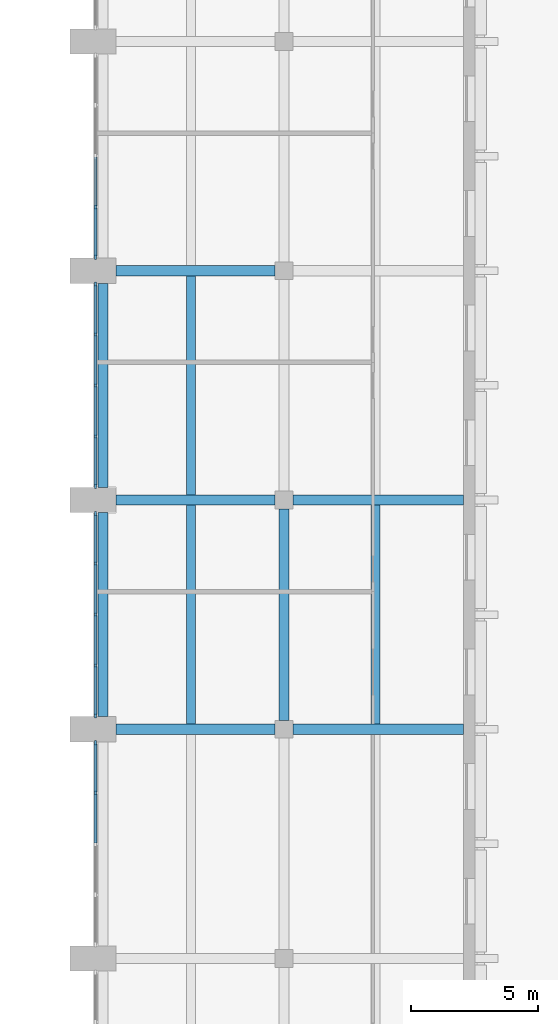
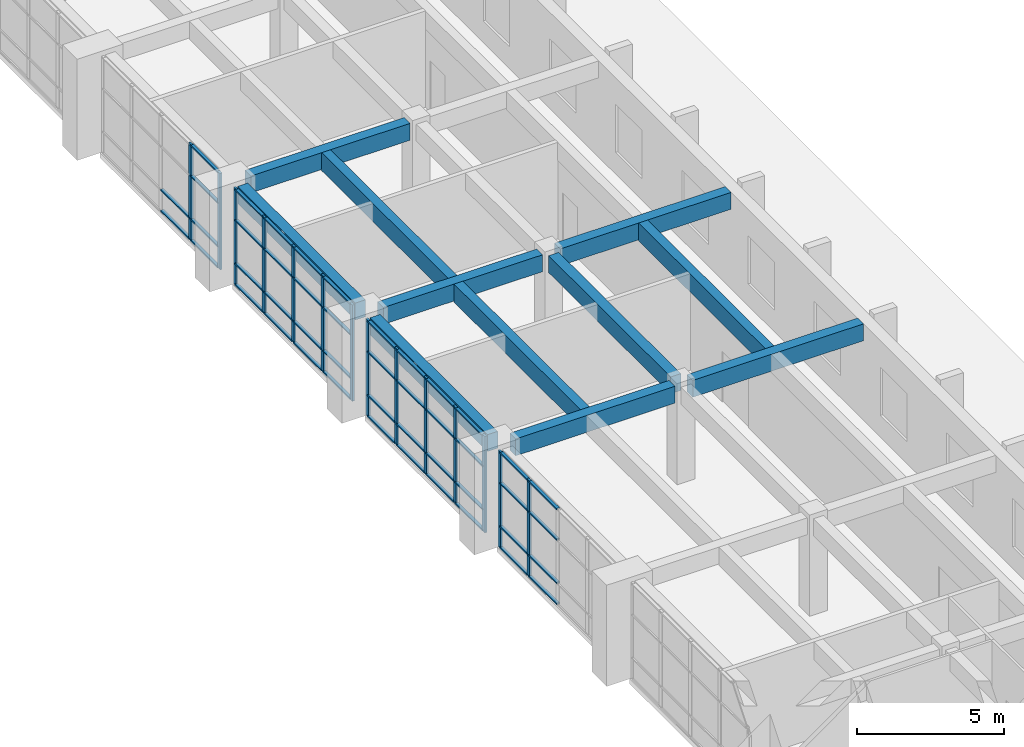
# One storey, part 9 of 45: 60 members, 11 beams, 4 elements without a shape of their own.
"""IFC4 building model written with IfcOpenShell, lengths in metres."""

import ifcopenshell
import ifcopenshell.guid

model = None  # the IFC model being written
_history = None  # IfcOwnerHistory: only IFC2X3 demands one
_inside = {}  # id of a spatial element -> (the spatial element, [elements in it])
_under = {}  # id of a project, library or spatial element -> (it, [spatial elements below it])
_declared = {}  # id of a project -> (the project, [libraries it declares])
_typed = {}  # id of a type object -> (the type object, [elements of that type])
_made_of = {}  # id of a material, layer set ... -> (it, [elements and type objects made of it])


def new_model(schema):
    """Start an empty IFC model of exactly this schema.

    Asked for "IFC4X3", IfcOpenShell would pick the latest addendum, in which some entities
    have other attributes; the version numbers below select the first issue.
    IFC2X3 requires an IfcOwnerHistory on every rooted entity: one is made here for all.
    """
    global model, _history
    if schema == "IFC4X3":
        model = ifcopenshell.file(schema_version=(4, 3, 0, 0))
    else:
        model = ifcopenshell.file(schema=schema)
    _inside.clear()
    _under.clear()
    _declared.clear()
    _typed.clear()
    _made_of.clear()
    _history = None
    if model.schema == "IFC2X3":
        org = make("IfcOrganization", Name="unknown")
        user = make(
            "IfcPersonAndOrganization",
            ThePerson=make("IfcPerson", FamilyName="unknown"),
            TheOrganization=org,
        )
        app = make(
            "IfcApplication",
            ApplicationDeveloper=org,
            Version="unknown",
            ApplicationFullName="unknown",
            ApplicationIdentifier="unknown",
        )
        _history = make(
            "IfcOwnerHistory",
            OwningUser=user,
            OwningApplication=app,
            ChangeAction="ADDED",
            CreationDate=0,
        )
    return model


def make(cls, **values):
    """One entity of the class cls with the attributes given. An attribute that is None is left unset."""
    return model.create_entity(
        cls, **{name: value for name, value in values.items() if value is not None}
    )


def rooted(cls, **values):
    """An entity with a GlobalId (a new one), such as an element, a storey or a relation."""
    return make(cls, GlobalId=ifcopenshell.guid.new(), OwnerHistory=_history, **values)


def si_unit(unit_type, name, prefix=None):
    """IfcSIUnit, for example si_unit("LENGTHUNIT", "METRE", prefix="MILLI")."""
    return make("IfcSIUnit", UnitType=unit_type, Prefix=prefix, Name=name)


def assignment(units):
    """IfcUnitAssignment: the units of a project."""
    return None if units is None else make("IfcUnitAssignment", Units=units)


def point(xyz):
    """IfcCartesianPoint."""
    return None if xyz is None else make("IfcCartesianPoint", Coordinates=xyz)


def direction(xyz):
    """IfcDirection."""
    return None if xyz is None else make("IfcDirection", DirectionRatios=xyz)


def frame(location, z_axis=None, x_axis=None):
    """IfcAxis2Placement3D, a coordinate frame: its origin and axes. An axis left out is left unset."""
    return make(
        "IfcAxis2Placement3D",
        Location=point(location),
        Axis=direction(z_axis),
        RefDirection=direction(x_axis),
    )


def frame_2d(location, x_axis=None):
    """IfcAxis2Placement2D, a coordinate frame in the plane: its origin and x axis."""
    return make(
        "IfcAxis2Placement2D", Location=point(location), RefDirection=direction(x_axis)
    )


def origin():
    """The frame at (0, 0, 0) with its axes left unset."""
    return frame((0.0, 0.0, 0.0))


def origin_2d():
    """The frame at (0, 0) in the plane with its x axis left unset."""
    return frame_2d((0.0, 0.0))


def place(relative_to, where):
    """IfcLocalPlacement: puts the frame where relative to a parent placement (None: the world)."""
    return make(
        "IfcLocalPlacement", PlacementRelTo=relative_to, RelativePlacement=where
    )


def context(
    kind, dimensions, precision=None, world=None, true_north=None, identifier=None
):
    """IfcGeometricRepresentationContext, for example the 3D "Model" context."""
    return make(
        "IfcGeometricRepresentationContext",
        ContextIdentifier=identifier,
        ContextType=kind,
        CoordinateSpaceDimension=dimensions,
        Precision=precision,
        WorldCoordinateSystem=world,
        TrueNorth=true_north,
    )


def subcontext(parent, identifier, kind, view, scale=None):
    """IfcGeometricRepresentationSubContext, for example "Body" below "Model"."""
    return make(
        "IfcGeometricRepresentationSubContext",
        ContextIdentifier=identifier,
        ContextType=kind,
        ParentContext=parent,
        TargetScale=scale,
        TargetView=view,
    )


def project(units=None, contexts=None):
    """IfcProject with its units and contexts."""
    return rooted(
        "IfcProject",
        Name="project",
        RepresentationContexts=contexts,
        UnitsInContext=assignment(units),
    )


def spatial(cls, under=None, at=None, **own):
    """A site, building, storey or space (cls), placed at a placement, below another one or the project."""
    s = rooted(cls, ObjectPlacement=at, **own)
    if under is not None:
        _under.setdefault(under.id(), (under, []))[1].append(s)
    return s


def profile(cls, at=None, kind="AREA", **sizes):
    """A parametric profile (cls). Its sizes go by their IFC names, for example OverallWidth=200.0."""
    return make(cls, ProfileType=kind, Position=at, **sizes)


def rectangle(**sizes):
    """IfcRectangleProfileDef."""
    return profile("IfcRectangleProfileDef", **sizes)


def extrude(swept, where, along, depth):
    """IfcExtrudedAreaSolid: the profile swept, set in the frame where, extruded along a direction by depth."""
    return make(
        "IfcExtrudedAreaSolid",
        SweptArea=swept,
        Position=where,
        ExtrudedDirection=direction(along),
        Depth=depth,
    )


def shape(context_of_items, identifier, shape_type, items):
    """IfcShapeRepresentation: the items that make up one representation, for example the "Body"."""
    return make(
        "IfcShapeRepresentation",
        ContextOfItems=context_of_items,
        RepresentationIdentifier=identifier,
        RepresentationType=shape_type,
        Items=items,
    )


def material(Name=None, Category=None):
    """IfcMaterial."""
    return make("IfcMaterial", Name=Name, Category=Category)


def material_profile(
    of_material, cross_section, Name=None, Category=None, Priority=None
):
    """IfcMaterialProfile: a cross section and its material."""
    return make(
        "IfcMaterialProfile",
        Name=Name,
        Material=of_material,
        Profile=cross_section,
        Priority=Priority,
        Category=Category,
    )


def profile_set(profiles, Name=None, composite=None):
    """IfcMaterialProfileSet."""
    return make(
        "IfcMaterialProfileSet",
        Name=Name,
        MaterialProfiles=profiles,
        CompositeProfile=composite,
    )


def made_of(thing, what):
    """Note that an element or type object is made of a material, layer set ...; save() writes the relation."""
    if what is not None:
        _made_of.setdefault(what.id(), (what, []))[1].append(thing)
    return thing


def type_object(cls, material=None, **own):
    """A type object (cls), such as IfcWallType, which elements share."""
    return made_of(rooted(cls, **own), material)


def element(
    cls,
    number,
    at=None,
    inside=None,
    cuts=None,
    type_object=None,
    material=None,
    context=None,
    identifier="Body",
    shape_type=None,
    held_by="IfcProductDefinitionShape",
    body=None,
    shapes=None,
    **own,
):
    """One element of the class cls, such as IfcWall. Its Tag is "e" and its number.

    at: its placement. inside: the storey or other place that contains it. cuts: it is an
    opening in that element (IfcRelVoidsElement). A single representation is given by context,
    identifier, shape_type and body (its items); several are given by shapes. held_by: the class
    of the entity that holds the representations. save() writes the other relations.
    """
    e = rooted(cls, Tag="e%d" % number, ObjectPlacement=at, **own)
    if body is not None:
        shapes = [shape(context, identifier, shape_type, body)]
    if shapes is not None:
        e.Representation = make(held_by, Representations=shapes)
    if inside is not None:
        _inside.setdefault(inside.id(), (inside, []))[1].append(e)
    if cuts is not None:
        rooted(
            "IfcRelVoidsElement", RelatingBuildingElement=cuts, RelatedOpeningElement=e
        )
    if type_object is not None:
        _typed.setdefault(type_object.id(), (type_object, []))[1].append(e)
    return made_of(e, material)


def aggregate(whole, parts):
    """IfcRelAggregates: a whole, such as a stair, and the parts it consists of."""
    return rooted("IfcRelAggregates", RelatingObject=whole, RelatedObjects=parts)


def save(model, path):
    """Write the relations noted so far, then the file.

    IfcRelAggregates (storeys below a building ...), IfcRelContainedInSpatialStructure (elements
    in a storey), IfcRelDefinesByType, IfcRelAssociatesMaterial and IfcRelDeclares: one each for
    every whole, place, type object, material and project.
    """
    for whole, parts in _under.values():
        aggregate(whole, parts)
    for where, things in _inside.values():
        rooted(
            "IfcRelContainedInSpatialStructure",
            RelatedElements=things,
            RelatingStructure=where,
        )
    for kind, things in _typed.values():
        rooted("IfcRelDefinesByType", RelatedObjects=things, RelatingType=kind)
    for what, things in _made_of.values():
        rooted("IfcRelAssociatesMaterial", RelatedObjects=things, RelatingMaterial=what)
    for by, libraries in _declared.values():
        rooted("IfcRelDeclares", RelatingContext=by, RelatedDefinitions=libraries)
    model.write(path)


model = new_model("IFC4")

# Units and contexts
model_context = context("Model", 3, precision=1e-05, world=origin(), true_north=direction((0.0, 1.0)))
body_context = subcontext(model_context, "Body", "Model", "MODEL_VIEW")
ifc_project = project(units=[si_unit("LENGTHUNIT", "METRE"), si_unit("AREAUNIT", "SQUARE_METRE"), si_unit("VOLUMEUNIT", "CUBIC_METRE"), si_unit("PLANEANGLEUNIT", "RADIAN"), si_unit("MASSUNIT", "GRAM", prefix="KILO")], contexts=[model_context])

# Site, building, storey
site_placement = place(None, origin())
site = spatial("IfcSite", under=ifc_project, at=site_placement, CompositionType="ELEMENT")
building_placement = place(site_placement, origin())
building = spatial("IfcBuilding", under=site, at=building_placement, Name="Elmora Arch Market Hall", CompositionType="ELEMENT")
storey_placement = place(building_placement, frame((0.0, 0.0, 6.0)))
storey = spatial("IfcBuildingStorey", under=building, at=storey_placement, Name="L01", CompositionType="ELEMENT", Elevation=6.0)

# Curtain wall, members
ifc_material_1 = material(Name="Aluminium", Category="aluminium")
curtain_wall_type = type_object("IfcCurtainWallType", Name="Hall front curtain wall", PredefinedType="NOTDEFINED", material=ifc_material_1)
curtain_wall_1_placement = place(storey_placement, origin())
curtain_wall_1 = element("IfcCurtainWall", 1, at=curtain_wall_1_placement, inside=storey, type_object=curtain_wall_type, Name="Wing front E L01 3", PredefinedType="NOTDEFINED")
ifc_material_2 = material(Name="Aluminium", Category="aluminium")
ifc_material_profile_1 = material_profile(ifc_material_2, rectangle(XDim=0.080078125, YDim=0.179931640625, at=origin_2d()), Name="AL 80x180")
ifc_profile_set_1 = profile_set([ifc_material_profile_1], Name="Aluminium")
member_type_1 = type_object("IfcMemberType", Name="Mullion 80x180", PredefinedType="MULLION", material=ifc_profile_set_1)
member_1_placement = place(storey_placement, frame((43.10009765625, 51.5, 0.0), z_axis=(0.0, 0.0, 1.0), x_axis=(-1.0, 0.0, 0.0)))
member_1 = element("IfcMember", 2, at=member_1_placement, type_object=member_type_1, Name="CW2 mullion 4", PredefinedType="MULLION", context=body_context, shape_type="SweptSolid", body=[
    extrude(rectangle(XDim=0.080078125, YDim=0.179931640625, at=origin_2d()), origin(), (0.0, 0.0, 1.0), 4.0),
])
member_2_placement = place(storey_placement, frame((43.10009765625, 53.4599609375, 0.0), z_axis=(0.0, 0.0, 1.0), x_axis=(-1.0, 0.0, 0.0)))
member_2 = element("IfcMember", 3, at=member_2_placement, type_object=member_type_1, Name="CW2 mullion 5", PredefinedType="MULLION", context=body_context, shape_type="SweptSolid", body=[
    extrude(rectangle(XDim=0.080078125, YDim=0.179931640625, at=origin_2d()), origin(), (0.0, 0.0, 1.0), 4.0),
])

curtain_wall_2_placement = place(storey_placement, origin())
curtain_wall_2 = element("IfcCurtainWall", 4, at=curtain_wall_2_placement, inside=storey, type_object=curtain_wall_type, Name="Wing front E L01 4", PredefinedType="NOTDEFINED")
member_3_placement = place(storey_placement, frame((43.10009765625, 54.5400390625, 0.0), z_axis=(0.0, 0.0, 1.0), x_axis=(-1.0, 0.0, 0.0)))
member_3 = element("IfcMember", 5, at=member_3_placement, type_object=member_type_1, Name="CW2 mullion 1", PredefinedType="MULLION", context=body_context, shape_type="SweptSolid", body=[
    extrude(rectangle(XDim=0.080078125, YDim=0.179931640625, at=origin_2d()), origin(), (0.0, 0.0, 1.0), 4.0),
])
member_4_placement = place(storey_placement, frame((43.10009765625, 56.5, 0.0), z_axis=(0.0, 0.0, 1.0), x_axis=(-1.0, 0.0, 0.0)))
member_4 = element("IfcMember", 6, at=member_4_placement, type_object=member_type_1, Name="CW2 mullion 2", PredefinedType="MULLION", context=body_context, shape_type="SweptSolid", body=[
    extrude(rectangle(XDim=0.080078125, YDim=0.179931640625, at=origin_2d()), origin(), (0.0, 0.0, 1.0), 4.0),
])
member_5_placement = place(storey_placement, frame((43.10009765625, 58.5, 0.0), z_axis=(0.0, 0.0, 1.0), x_axis=(-1.0, 0.0, 0.0)))
member_5 = element("IfcMember", 7, at=member_5_placement, type_object=member_type_1, Name="CW2 mullion 3", PredefinedType="MULLION", context=body_context, shape_type="SweptSolid", body=[
    extrude(rectangle(XDim=0.080078125, YDim=0.179931640625, at=origin_2d()), origin(), (0.0, 0.0, 1.0), 4.0),
])
member_6_placement = place(storey_placement, frame((43.10009765625, 60.5, 0.0), z_axis=(0.0, 0.0, 1.0), x_axis=(-1.0, 0.0, 0.0)))
member_6 = element("IfcMember", 8, at=member_6_placement, type_object=member_type_1, Name="CW2 mullion 4", PredefinedType="MULLION", context=body_context, shape_type="SweptSolid", body=[
    extrude(rectangle(XDim=0.080078125, YDim=0.179931640625, at=origin_2d()), origin(), (0.0, 0.0, 1.0), 4.0),
])
member_7_placement = place(storey_placement, frame((43.10009765625, 62.4599609375, 0.0), z_axis=(0.0, 0.0, 1.0), x_axis=(-1.0, 0.0, 0.0)))
member_7 = element("IfcMember", 9, at=member_7_placement, type_object=member_type_1, Name="CW2 mullion 5", PredefinedType="MULLION", context=body_context, shape_type="SweptSolid", body=[
    extrude(rectangle(XDim=0.080078125, YDim=0.179931640625, at=origin_2d()), origin(), (0.0, 0.0, 1.0), 4.0),
])

curtain_wall_3_placement = place(storey_placement, origin())
curtain_wall_3 = element("IfcCurtainWall", 10, at=curtain_wall_3_placement, inside=storey, type_object=curtain_wall_type, Name="Wing front E L01 5", PredefinedType="NOTDEFINED")
member_8_placement = place(storey_placement, frame((43.10009765625, 63.5400390625, 0.0), z_axis=(0.0, 0.0, 1.0), x_axis=(-1.0, 0.0, 0.0)))
member_8 = element("IfcMember", 11, at=member_8_placement, type_object=member_type_1, Name="CW2 mullion 1", PredefinedType="MULLION", context=body_context, shape_type="SweptSolid", body=[
    extrude(rectangle(XDim=0.080078125, YDim=0.179931640625, at=origin_2d()), origin(), (0.0, 0.0, 1.0), 4.0),
])
member_9_placement = place(storey_placement, frame((43.10009765625, 65.5, 0.0), z_axis=(0.0, 0.0, 1.0), x_axis=(-1.0, 0.0, 0.0)))
member_9 = element("IfcMember", 12, at=member_9_placement, type_object=member_type_1, Name="CW2 mullion 2", PredefinedType="MULLION", context=body_context, shape_type="SweptSolid", body=[
    extrude(rectangle(XDim=0.080078125, YDim=0.179931640625, at=origin_2d()), origin(), (0.0, 0.0, 1.0), 4.0),
])
member_10_placement = place(storey_placement, frame((43.10009765625, 67.5, 0.0), z_axis=(0.0, 0.0, 1.0), x_axis=(-1.0, 0.0, 0.0)))
member_10 = element("IfcMember", 13, at=member_10_placement, type_object=member_type_1, Name="CW2 mullion 3", PredefinedType="MULLION", context=body_context, shape_type="SweptSolid", body=[
    extrude(rectangle(XDim=0.080078125, YDim=0.179931640625, at=origin_2d()), origin(), (0.0, 0.0, 1.0), 4.0),
])
member_11_placement = place(storey_placement, frame((43.10009765625, 69.5, 0.0), z_axis=(0.0, 0.0, 1.0), x_axis=(-1.0, 0.0, 0.0)))
member_11 = element("IfcMember", 14, at=member_11_placement, type_object=member_type_1, Name="CW2 mullion 4", PredefinedType="MULLION", context=body_context, shape_type="SweptSolid", body=[
    extrude(rectangle(XDim=0.080078125, YDim=0.179931640625, at=origin_2d()), origin(), (0.0, 0.0, 1.0), 4.0),
])
member_12_placement = place(storey_placement, frame((43.10009765625, 71.4599609375, 0.0), z_axis=(0.0, 0.0, 1.0), x_axis=(-1.0, 0.0, 0.0)))
member_12 = element("IfcMember", 15, at=member_12_placement, type_object=member_type_1, Name="CW2 mullion 5", PredefinedType="MULLION", context=body_context, shape_type="SweptSolid", body=[
    extrude(rectangle(XDim=0.080078125, YDim=0.179931640625, at=origin_2d()), origin(), (0.0, 0.0, 1.0), 4.0),
])

curtain_wall_4_placement = place(storey_placement, origin())
curtain_wall_4 = element("IfcCurtainWall", 16, at=curtain_wall_4_placement, inside=storey, type_object=curtain_wall_type, Name="Wing front E L01 6", PredefinedType="NOTDEFINED")
member_13_placement = place(storey_placement, frame((43.10009765625, 72.5400390625, 0.0), z_axis=(0.0, 0.0, 1.0), x_axis=(-1.0, 0.0, 0.0)))
member_13 = element("IfcMember", 17, at=member_13_placement, type_object=member_type_1, Name="CW2 mullion 1", PredefinedType="MULLION", context=body_context, shape_type="SweptSolid", body=[
    extrude(rectangle(XDim=0.080078125, YDim=0.179931640625, at=origin_2d()), origin(), (0.0, 0.0, 1.0), 4.0),
])
member_14_placement = place(storey_placement, frame((43.10009765625, 74.5, 0.0), z_axis=(0.0, 0.0, 1.0), x_axis=(-1.0, 0.0, 0.0)))
member_14 = element("IfcMember", 18, at=member_14_placement, type_object=member_type_1, Name="CW2 mullion 2", PredefinedType="MULLION", context=body_context, shape_type="SweptSolid", body=[
    extrude(rectangle(XDim=0.080078125, YDim=0.179931640625, at=origin_2d()), origin(), (0.0, 0.0, 1.0), 4.0),
])

# Member
ifc_material_3 = material(Name="Aluminium", Category="aluminium")
ifc_material_profile_2 = material_profile(ifc_material_3, rectangle(XDim=0.1201171875, YDim=0.06005859375, at=origin_2d()), Name="AL 120x60")
ifc_profile_set_2 = profile_set([ifc_material_profile_2], Name="Aluminium")
member_type_2 = type_object("IfcMemberType", Name="Transom 120x60", PredefinedType="USERDEFINED", material=ifc_profile_set_2)
member_15_placement = place(storey_placement, frame((43.10009765625, 49.5400390625, 0.030029296875), z_axis=(0.0, 1.0, 0.0), x_axis=(-1.0, 0.0, 0.0)))
member_15 = element("IfcMember", 19, at=member_15_placement, type_object=member_type_2, Name="CW2 transom 3.1", ObjectType="TRANSOM", PredefinedType="USERDEFINED", context=body_context, shape_type="SweptSolid", body=[
    extrude(rectangle(XDim=0.1201171875, YDim=0.06005859375, at=origin_2d()), origin(), (0.0, 0.0, 1.0), 1.919921875),
])

member_16_placement = place(storey_placement, frame((43.10009765625, 49.5400390625, 0.89990234375), z_axis=(0.0, 1.0, 0.0), x_axis=(-1.0, 0.0, 0.0)))
member_16 = element("IfcMember", 20, at=member_16_placement, type_object=member_type_2, Name="CW2 transom 3.2", ObjectType="TRANSOM", PredefinedType="USERDEFINED", context=body_context, shape_type="SweptSolid", body=[
    extrude(rectangle(XDim=0.1201171875, YDim=0.06005859375, at=origin_2d()), origin(), (0.0, 0.0, 1.0), 1.919921875),
])

member_17_placement = place(storey_placement, frame((43.10009765625, 49.5400390625, 2.699951171875), z_axis=(0.0, 1.0, 0.0), x_axis=(-1.0, 0.0, 0.0)))
member_17 = element("IfcMember", 21, at=member_17_placement, type_object=member_type_2, Name="CW2 transom 3.3", ObjectType="TRANSOM", PredefinedType="USERDEFINED", context=body_context, shape_type="SweptSolid", body=[
    extrude(rectangle(XDim=0.1201171875, YDim=0.06005859375, at=origin_2d()), origin(), (0.0, 0.0, 1.0), 1.919921875),
])

member_18_placement = place(storey_placement, frame((43.10009765625, 49.5400390625, 3.969970703125), z_axis=(0.0, 1.0, 0.0), x_axis=(-1.0, 0.0, 0.0)))
member_18 = element("IfcMember", 22, at=member_18_placement, type_object=member_type_2, Name="CW2 transom 3.4", ObjectType="TRANSOM", PredefinedType="USERDEFINED", context=body_context, shape_type="SweptSolid", body=[
    extrude(rectangle(XDim=0.1201171875, YDim=0.06005859375, at=origin_2d()), origin(), (0.0, 0.0, 1.0), 1.919921875),
])

member_19_placement = place(storey_placement, frame((43.10009765625, 51.5400390625, 0.030029296875), z_axis=(0.0, 1.0, 0.0), x_axis=(-1.0, 0.0, 0.0)))
member_19 = element("IfcMember", 23, at=member_19_placement, type_object=member_type_2, Name="CW2 transom 4.1", ObjectType="TRANSOM", PredefinedType="USERDEFINED", context=body_context, shape_type="SweptSolid", body=[
    extrude(rectangle(XDim=0.1201171875, YDim=0.06005859375, at=origin_2d()), origin(), (0.0, 0.0, 1.0), 1.8798828125),
])

member_20_placement = place(storey_placement, frame((43.10009765625, 51.5400390625, 0.89990234375), z_axis=(0.0, 1.0, 0.0), x_axis=(-1.0, 0.0, 0.0)))
member_20 = element("IfcMember", 24, at=member_20_placement, type_object=member_type_2, Name="CW2 transom 4.2", ObjectType="TRANSOM", PredefinedType="USERDEFINED", context=body_context, shape_type="SweptSolid", body=[
    extrude(rectangle(XDim=0.1201171875, YDim=0.06005859375, at=origin_2d()), origin(), (0.0, 0.0, 1.0), 1.8798828125),
])

member_21_placement = place(storey_placement, frame((43.10009765625, 51.5400390625, 2.699951171875), z_axis=(0.0, 1.0, 0.0), x_axis=(-1.0, 0.0, 0.0)))
member_21 = element("IfcMember", 25, at=member_21_placement, type_object=member_type_2, Name="CW2 transom 4.3", ObjectType="TRANSOM", PredefinedType="USERDEFINED", context=body_context, shape_type="SweptSolid", body=[
    extrude(rectangle(XDim=0.1201171875, YDim=0.06005859375, at=origin_2d()), origin(), (0.0, 0.0, 1.0), 1.8798828125),
])

member_22_placement = place(storey_placement, frame((43.10009765625, 51.5400390625, 3.969970703125), z_axis=(0.0, 1.0, 0.0), x_axis=(-1.0, 0.0, 0.0)))
member_22 = element("IfcMember", 26, at=member_22_placement, type_object=member_type_2, Name="CW2 transom 4.4", ObjectType="TRANSOM", PredefinedType="USERDEFINED", context=body_context, shape_type="SweptSolid", body=[
    extrude(rectangle(XDim=0.1201171875, YDim=0.06005859375, at=origin_2d()), origin(), (0.0, 0.0, 1.0), 1.8798828125),
])

aggregate(curtain_wall_1, [member_1, member_2, member_15, member_16, member_17, member_18, member_19, member_20, member_21, member_22])

member_23_placement = place(storey_placement, frame((43.10009765625, 54.580078125, 0.030029296875), z_axis=(0.0, 1.0, 0.0), x_axis=(-1.0, 0.0, 0.0)))
member_23 = element("IfcMember", 27, at=member_23_placement, type_object=member_type_2, Name="CW2 transom 1.1", ObjectType="TRANSOM", PredefinedType="USERDEFINED", context=body_context, shape_type="SweptSolid", body=[
    extrude(rectangle(XDim=0.1201171875, YDim=0.06005859375, at=origin_2d()), origin(), (0.0, 0.0, 1.0), 1.8798828125),
])

member_24_placement = place(storey_placement, frame((43.10009765625, 54.580078125, 0.89990234375), z_axis=(0.0, 1.0, 0.0), x_axis=(-1.0, 0.0, 0.0)))
member_24 = element("IfcMember", 28, at=member_24_placement, type_object=member_type_2, Name="CW2 transom 1.2", ObjectType="TRANSOM", PredefinedType="USERDEFINED", context=body_context, shape_type="SweptSolid", body=[
    extrude(rectangle(XDim=0.1201171875, YDim=0.06005859375, at=origin_2d()), origin(), (0.0, 0.0, 1.0), 1.8798828125),
])

member_25_placement = place(storey_placement, frame((43.10009765625, 54.580078125, 2.699951171875), z_axis=(0.0, 1.0, 0.0), x_axis=(-1.0, 0.0, 0.0)))
member_25 = element("IfcMember", 29, at=member_25_placement, type_object=member_type_2, Name="CW2 transom 1.3", ObjectType="TRANSOM", PredefinedType="USERDEFINED", context=body_context, shape_type="SweptSolid", body=[
    extrude(rectangle(XDim=0.1201171875, YDim=0.06005859375, at=origin_2d()), origin(), (0.0, 0.0, 1.0), 1.8798828125),
])

member_26_placement = place(storey_placement, frame((43.10009765625, 54.580078125, 3.969970703125), z_axis=(0.0, 1.0, 0.0), x_axis=(-1.0, 0.0, 0.0)))
member_26 = element("IfcMember", 30, at=member_26_placement, type_object=member_type_2, Name="CW2 transom 1.4", ObjectType="TRANSOM", PredefinedType="USERDEFINED", context=body_context, shape_type="SweptSolid", body=[
    extrude(rectangle(XDim=0.1201171875, YDim=0.06005859375, at=origin_2d()), origin(), (0.0, 0.0, 1.0), 1.8798828125),
])

member_27_placement = place(storey_placement, frame((43.10009765625, 56.5400390625, 0.030029296875), z_axis=(0.0, 1.0, 0.0), x_axis=(-1.0, 0.0, 0.0)))
member_27 = element("IfcMember", 31, at=member_27_placement, type_object=member_type_2, Name="CW2 transom 2.1", ObjectType="TRANSOM", PredefinedType="USERDEFINED", context=body_context, shape_type="SweptSolid", body=[
    extrude(rectangle(XDim=0.1201171875, YDim=0.06005859375, at=origin_2d()), origin(), (0.0, 0.0, 1.0), 1.919921875),
])

member_28_placement = place(storey_placement, frame((43.10009765625, 56.5400390625, 0.89990234375), z_axis=(0.0, 1.0, 0.0), x_axis=(-1.0, 0.0, 0.0)))
member_28 = element("IfcMember", 32, at=member_28_placement, type_object=member_type_2, Name="CW2 transom 2.2", ObjectType="TRANSOM", PredefinedType="USERDEFINED", context=body_context, shape_type="SweptSolid", body=[
    extrude(rectangle(XDim=0.1201171875, YDim=0.06005859375, at=origin_2d()), origin(), (0.0, 0.0, 1.0), 1.919921875),
])

member_29_placement = place(storey_placement, frame((43.10009765625, 56.5400390625, 2.699951171875), z_axis=(0.0, 1.0, 0.0), x_axis=(-1.0, 0.0, 0.0)))
member_29 = element("IfcMember", 33, at=member_29_placement, type_object=member_type_2, Name="CW2 transom 2.3", ObjectType="TRANSOM", PredefinedType="USERDEFINED", context=body_context, shape_type="SweptSolid", body=[
    extrude(rectangle(XDim=0.1201171875, YDim=0.06005859375, at=origin_2d()), origin(), (0.0, 0.0, 1.0), 1.919921875),
])

member_30_placement = place(storey_placement, frame((43.10009765625, 56.5400390625, 3.969970703125), z_axis=(0.0, 1.0, 0.0), x_axis=(-1.0, 0.0, 0.0)))
member_30 = element("IfcMember", 34, at=member_30_placement, type_object=member_type_2, Name="CW2 transom 2.4", ObjectType="TRANSOM", PredefinedType="USERDEFINED", context=body_context, shape_type="SweptSolid", body=[
    extrude(rectangle(XDim=0.1201171875, YDim=0.06005859375, at=origin_2d()), origin(), (0.0, 0.0, 1.0), 1.919921875),
])

member_31_placement = place(storey_placement, frame((43.10009765625, 58.5400390625, 0.030029296875), z_axis=(0.0, 1.0, 0.0), x_axis=(-1.0, 0.0, 0.0)))
member_31 = element("IfcMember", 35, at=member_31_placement, type_object=member_type_2, Name="CW2 transom 3.1", ObjectType="TRANSOM", PredefinedType="USERDEFINED", context=body_context, shape_type="SweptSolid", body=[
    extrude(rectangle(XDim=0.1201171875, YDim=0.06005859375, at=origin_2d()), origin(), (0.0, 0.0, 1.0), 1.919921875),
])

member_32_placement = place(storey_placement, frame((43.10009765625, 58.5400390625, 0.89990234375), z_axis=(0.0, 1.0, 0.0), x_axis=(-1.0, 0.0, 0.0)))
member_32 = element("IfcMember", 36, at=member_32_placement, type_object=member_type_2, Name="CW2 transom 3.2", ObjectType="TRANSOM", PredefinedType="USERDEFINED", context=body_context, shape_type="SweptSolid", body=[
    extrude(rectangle(XDim=0.1201171875, YDim=0.06005859375, at=origin_2d()), origin(), (0.0, 0.0, 1.0), 1.919921875),
])

member_33_placement = place(storey_placement, frame((43.10009765625, 58.5400390625, 2.699951171875), z_axis=(0.0, 1.0, 0.0), x_axis=(-1.0, 0.0, 0.0)))
member_33 = element("IfcMember", 37, at=member_33_placement, type_object=member_type_2, Name="CW2 transom 3.3", ObjectType="TRANSOM", PredefinedType="USERDEFINED", context=body_context, shape_type="SweptSolid", body=[
    extrude(rectangle(XDim=0.1201171875, YDim=0.06005859375, at=origin_2d()), origin(), (0.0, 0.0, 1.0), 1.919921875),
])

member_34_placement = place(storey_placement, frame((43.10009765625, 58.5400390625, 3.969970703125), z_axis=(0.0, 1.0, 0.0), x_axis=(-1.0, 0.0, 0.0)))
member_34 = element("IfcMember", 38, at=member_34_placement, type_object=member_type_2, Name="CW2 transom 3.4", ObjectType="TRANSOM", PredefinedType="USERDEFINED", context=body_context, shape_type="SweptSolid", body=[
    extrude(rectangle(XDim=0.1201171875, YDim=0.06005859375, at=origin_2d()), origin(), (0.0, 0.0, 1.0), 1.919921875),
])

member_35_placement = place(storey_placement, frame((43.10009765625, 60.5400390625, 0.030029296875), z_axis=(0.0, 1.0, 0.0), x_axis=(-1.0, 0.0, 0.0)))
member_35 = element("IfcMember", 39, at=member_35_placement, type_object=member_type_2, Name="CW2 transom 4.1", ObjectType="TRANSOM", PredefinedType="USERDEFINED", context=body_context, shape_type="SweptSolid", body=[
    extrude(rectangle(XDim=0.1201171875, YDim=0.06005859375, at=origin_2d()), origin(), (0.0, 0.0, 1.0), 1.8798828125),
])

member_36_placement = place(storey_placement, frame((43.10009765625, 60.5400390625, 0.89990234375), z_axis=(0.0, 1.0, 0.0), x_axis=(-1.0, 0.0, 0.0)))
member_36 = element("IfcMember", 40, at=member_36_placement, type_object=member_type_2, Name="CW2 transom 4.2", ObjectType="TRANSOM", PredefinedType="USERDEFINED", context=body_context, shape_type="SweptSolid", body=[
    extrude(rectangle(XDim=0.1201171875, YDim=0.06005859375, at=origin_2d()), origin(), (0.0, 0.0, 1.0), 1.8798828125),
])

member_37_placement = place(storey_placement, frame((43.10009765625, 60.5400390625, 2.699951171875), z_axis=(0.0, 1.0, 0.0), x_axis=(-1.0, 0.0, 0.0)))
member_37 = element("IfcMember", 41, at=member_37_placement, type_object=member_type_2, Name="CW2 transom 4.3", ObjectType="TRANSOM", PredefinedType="USERDEFINED", context=body_context, shape_type="SweptSolid", body=[
    extrude(rectangle(XDim=0.1201171875, YDim=0.06005859375, at=origin_2d()), origin(), (0.0, 0.0, 1.0), 1.8798828125),
])

member_38_placement = place(storey_placement, frame((43.10009765625, 60.5400390625, 3.969970703125), z_axis=(0.0, 1.0, 0.0), x_axis=(-1.0, 0.0, 0.0)))
member_38 = element("IfcMember", 42, at=member_38_placement, type_object=member_type_2, Name="CW2 transom 4.4", ObjectType="TRANSOM", PredefinedType="USERDEFINED", context=body_context, shape_type="SweptSolid", body=[
    extrude(rectangle(XDim=0.1201171875, YDim=0.06005859375, at=origin_2d()), origin(), (0.0, 0.0, 1.0), 1.8798828125),
])

aggregate(curtain_wall_2, [member_3, member_4, member_5, member_6, member_7, member_23, member_24, member_25, member_26, member_27, member_28, member_29, member_30, member_31, member_32, member_33, member_34, member_35, member_36, member_37, member_38])

member_39_placement = place(storey_placement, frame((43.10009765625, 63.580078125, 0.030029296875), z_axis=(0.0, 1.0, 0.0), x_axis=(-1.0, 0.0, 0.0)))
member_39 = element("IfcMember", 43, at=member_39_placement, type_object=member_type_2, Name="CW2 transom 1.1", ObjectType="TRANSOM", PredefinedType="USERDEFINED", context=body_context, shape_type="SweptSolid", body=[
    extrude(rectangle(XDim=0.1201171875, YDim=0.06005859375, at=origin_2d()), origin(), (0.0, 0.0, 1.0), 1.8798828125),
])

member_40_placement = place(storey_placement, frame((43.10009765625, 63.580078125, 0.89990234375), z_axis=(0.0, 1.0, 0.0), x_axis=(-1.0, 0.0, 0.0)))
member_40 = element("IfcMember", 44, at=member_40_placement, type_object=member_type_2, Name="CW2 transom 1.2", ObjectType="TRANSOM", PredefinedType="USERDEFINED", context=body_context, shape_type="SweptSolid", body=[
    extrude(rectangle(XDim=0.1201171875, YDim=0.06005859375, at=origin_2d()), origin(), (0.0, 0.0, 1.0), 1.8798828125),
])

member_41_placement = place(storey_placement, frame((43.10009765625, 63.580078125, 2.699951171875), z_axis=(0.0, 1.0, 0.0), x_axis=(-1.0, 0.0, 0.0)))
member_41 = element("IfcMember", 45, at=member_41_placement, type_object=member_type_2, Name="CW2 transom 1.3", ObjectType="TRANSOM", PredefinedType="USERDEFINED", context=body_context, shape_type="SweptSolid", body=[
    extrude(rectangle(XDim=0.1201171875, YDim=0.06005859375, at=origin_2d()), origin(), (0.0, 0.0, 1.0), 1.8798828125),
])

member_42_placement = place(storey_placement, frame((43.10009765625, 63.580078125, 3.969970703125), z_axis=(0.0, 1.0, 0.0), x_axis=(-1.0, 0.0, 0.0)))
member_42 = element("IfcMember", 46, at=member_42_placement, type_object=member_type_2, Name="CW2 transom 1.4", ObjectType="TRANSOM", PredefinedType="USERDEFINED", context=body_context, shape_type="SweptSolid", body=[
    extrude(rectangle(XDim=0.1201171875, YDim=0.06005859375, at=origin_2d()), origin(), (0.0, 0.0, 1.0), 1.8798828125),
])

member_43_placement = place(storey_placement, frame((43.10009765625, 65.5400390625, 0.030029296875), z_axis=(0.0, 1.0, 0.0), x_axis=(-1.0, 0.0, 0.0)))
member_43 = element("IfcMember", 47, at=member_43_placement, type_object=member_type_2, Name="CW2 transom 2.1", ObjectType="TRANSOM", PredefinedType="USERDEFINED", context=body_context, shape_type="SweptSolid", body=[
    extrude(rectangle(XDim=0.1201171875, YDim=0.06005859375, at=origin_2d()), origin(), (0.0, 0.0, 1.0), 1.919921875),
])

member_44_placement = place(storey_placement, frame((43.10009765625, 65.5400390625, 0.89990234375), z_axis=(0.0, 1.0, 0.0), x_axis=(-1.0, 0.0, 0.0)))
member_44 = element("IfcMember", 48, at=member_44_placement, type_object=member_type_2, Name="CW2 transom 2.2", ObjectType="TRANSOM", PredefinedType="USERDEFINED", context=body_context, shape_type="SweptSolid", body=[
    extrude(rectangle(XDim=0.1201171875, YDim=0.06005859375, at=origin_2d()), origin(), (0.0, 0.0, 1.0), 1.919921875),
])

member_45_placement = place(storey_placement, frame((43.10009765625, 65.5400390625, 2.699951171875), z_axis=(0.0, 1.0, 0.0), x_axis=(-1.0, 0.0, 0.0)))
member_45 = element("IfcMember", 49, at=member_45_placement, type_object=member_type_2, Name="CW2 transom 2.3", ObjectType="TRANSOM", PredefinedType="USERDEFINED", context=body_context, shape_type="SweptSolid", body=[
    extrude(rectangle(XDim=0.1201171875, YDim=0.06005859375, at=origin_2d()), origin(), (0.0, 0.0, 1.0), 1.919921875),
])

member_46_placement = place(storey_placement, frame((43.10009765625, 65.5400390625, 3.969970703125), z_axis=(0.0, 1.0, 0.0), x_axis=(-1.0, 0.0, 0.0)))
member_46 = element("IfcMember", 50, at=member_46_placement, type_object=member_type_2, Name="CW2 transom 2.4", ObjectType="TRANSOM", PredefinedType="USERDEFINED", context=body_context, shape_type="SweptSolid", body=[
    extrude(rectangle(XDim=0.1201171875, YDim=0.06005859375, at=origin_2d()), origin(), (0.0, 0.0, 1.0), 1.919921875),
])

member_47_placement = place(storey_placement, frame((43.10009765625, 67.5400390625, 0.030029296875), z_axis=(0.0, 1.0, 0.0), x_axis=(-1.0, 0.0, 0.0)))
member_47 = element("IfcMember", 51, at=member_47_placement, type_object=member_type_2, Name="CW2 transom 3.1", ObjectType="TRANSOM", PredefinedType="USERDEFINED", context=body_context, shape_type="SweptSolid", body=[
    extrude(rectangle(XDim=0.1201171875, YDim=0.06005859375, at=origin_2d()), origin(), (0.0, 0.0, 1.0), 1.919921875),
])

member_48_placement = place(storey_placement, frame((43.10009765625, 67.5400390625, 0.89990234375), z_axis=(0.0, 1.0, 0.0), x_axis=(-1.0, 0.0, 0.0)))
member_48 = element("IfcMember", 52, at=member_48_placement, type_object=member_type_2, Name="CW2 transom 3.2", ObjectType="TRANSOM", PredefinedType="USERDEFINED", context=body_context, shape_type="SweptSolid", body=[
    extrude(rectangle(XDim=0.1201171875, YDim=0.06005859375, at=origin_2d()), origin(), (0.0, 0.0, 1.0), 1.919921875),
])

member_49_placement = place(storey_placement, frame((43.10009765625, 67.5400390625, 2.699951171875), z_axis=(0.0, 1.0, 0.0), x_axis=(-1.0, 0.0, 0.0)))
member_49 = element("IfcMember", 53, at=member_49_placement, type_object=member_type_2, Name="CW2 transom 3.3", ObjectType="TRANSOM", PredefinedType="USERDEFINED", context=body_context, shape_type="SweptSolid", body=[
    extrude(rectangle(XDim=0.1201171875, YDim=0.06005859375, at=origin_2d()), origin(), (0.0, 0.0, 1.0), 1.919921875),
])

member_50_placement = place(storey_placement, frame((43.10009765625, 67.5400390625, 3.969970703125), z_axis=(0.0, 1.0, 0.0), x_axis=(-1.0, 0.0, 0.0)))
member_50 = element("IfcMember", 54, at=member_50_placement, type_object=member_type_2, Name="CW2 transom 3.4", ObjectType="TRANSOM", PredefinedType="USERDEFINED", context=body_context, shape_type="SweptSolid", body=[
    extrude(rectangle(XDim=0.1201171875, YDim=0.06005859375, at=origin_2d()), origin(), (0.0, 0.0, 1.0), 1.919921875),
])

member_51_placement = place(storey_placement, frame((43.10009765625, 69.5400390625, 0.030029296875), z_axis=(0.0, 1.0, 0.0), x_axis=(-1.0, 0.0, 0.0)))
member_51 = element("IfcMember", 55, at=member_51_placement, type_object=member_type_2, Name="CW2 transom 4.1", ObjectType="TRANSOM", PredefinedType="USERDEFINED", context=body_context, shape_type="SweptSolid", body=[
    extrude(rectangle(XDim=0.1201171875, YDim=0.06005859375, at=origin_2d()), origin(), (0.0, 0.0, 1.0), 1.8798828125),
])

member_52_placement = place(storey_placement, frame((43.10009765625, 69.5400390625, 0.89990234375), z_axis=(0.0, 1.0, 0.0), x_axis=(-1.0, 0.0, 0.0)))
member_52 = element("IfcMember", 56, at=member_52_placement, type_object=member_type_2, Name="CW2 transom 4.2", ObjectType="TRANSOM", PredefinedType="USERDEFINED", context=body_context, shape_type="SweptSolid", body=[
    extrude(rectangle(XDim=0.1201171875, YDim=0.06005859375, at=origin_2d()), origin(), (0.0, 0.0, 1.0), 1.8798828125),
])

member_53_placement = place(storey_placement, frame((43.10009765625, 69.5400390625, 2.699951171875), z_axis=(0.0, 1.0, 0.0), x_axis=(-1.0, 0.0, 0.0)))
member_53 = element("IfcMember", 57, at=member_53_placement, type_object=member_type_2, Name="CW2 transom 4.3", ObjectType="TRANSOM", PredefinedType="USERDEFINED", context=body_context, shape_type="SweptSolid", body=[
    extrude(rectangle(XDim=0.1201171875, YDim=0.06005859375, at=origin_2d()), origin(), (0.0, 0.0, 1.0), 1.8798828125),
])

member_54_placement = place(storey_placement, frame((43.10009765625, 69.5400390625, 3.969970703125), z_axis=(0.0, 1.0, 0.0), x_axis=(-1.0, 0.0, 0.0)))
member_54 = element("IfcMember", 58, at=member_54_placement, type_object=member_type_2, Name="CW2 transom 4.4", ObjectType="TRANSOM", PredefinedType="USERDEFINED", context=body_context, shape_type="SweptSolid", body=[
    extrude(rectangle(XDim=0.1201171875, YDim=0.06005859375, at=origin_2d()), origin(), (0.0, 0.0, 1.0), 1.8798828125),
])

aggregate(curtain_wall_3, [member_8, member_9, member_10, member_11, member_12, member_39, member_40, member_41, member_42, member_43, member_44, member_45, member_46, member_47, member_48, member_49, member_50, member_51, member_52, member_53, member_54])

member_55_placement = place(storey_placement, frame((43.10009765625, 72.580078125, 0.030029296875), z_axis=(0.0, 1.0, 0.0), x_axis=(-1.0, 0.0, 0.0)))
member_55 = element("IfcMember", 59, at=member_55_placement, type_object=member_type_2, Name="CW2 transom 1.1", ObjectType="TRANSOM", PredefinedType="USERDEFINED", context=body_context, shape_type="SweptSolid", body=[
    extrude(rectangle(XDim=0.1201171875, YDim=0.06005859375, at=origin_2d()), origin(), (0.0, 0.0, 1.0), 1.8798828125),
])

member_56_placement = place(storey_placement, frame((43.10009765625, 72.580078125, 0.89990234375), z_axis=(0.0, 1.0, 0.0), x_axis=(-1.0, 0.0, 0.0)))
member_56 = element("IfcMember", 60, at=member_56_placement, type_object=member_type_2, Name="CW2 transom 1.2", ObjectType="TRANSOM", PredefinedType="USERDEFINED", context=body_context, shape_type="SweptSolid", body=[
    extrude(rectangle(XDim=0.1201171875, YDim=0.06005859375, at=origin_2d()), origin(), (0.0, 0.0, 1.0), 1.8798828125),
])

member_57_placement = place(storey_placement, frame((43.10009765625, 72.580078125, 2.699951171875), z_axis=(0.0, 1.0, 0.0), x_axis=(-1.0, 0.0, 0.0)))
member_57 = element("IfcMember", 61, at=member_57_placement, type_object=member_type_2, Name="CW2 transom 1.3", ObjectType="TRANSOM", PredefinedType="USERDEFINED", context=body_context, shape_type="SweptSolid", body=[
    extrude(rectangle(XDim=0.1201171875, YDim=0.06005859375, at=origin_2d()), origin(), (0.0, 0.0, 1.0), 1.8798828125),
])

member_58_placement = place(storey_placement, frame((43.10009765625, 72.580078125, 3.969970703125), z_axis=(0.0, 1.0, 0.0), x_axis=(-1.0, 0.0, 0.0)))
member_58 = element("IfcMember", 62, at=member_58_placement, type_object=member_type_2, Name="CW2 transom 1.4", ObjectType="TRANSOM", PredefinedType="USERDEFINED", context=body_context, shape_type="SweptSolid", body=[
    extrude(rectangle(XDim=0.1201171875, YDim=0.06005859375, at=origin_2d()), origin(), (0.0, 0.0, 1.0), 1.8798828125),
])

member_59_placement = place(storey_placement, frame((43.10009765625, 74.5400390625, 0.030029296875), z_axis=(0.0, 1.0, 0.0), x_axis=(-1.0, 0.0, 0.0)))
member_59 = element("IfcMember", 63, at=member_59_placement, type_object=member_type_2, Name="CW2 transom 2.1", ObjectType="TRANSOM", PredefinedType="USERDEFINED", context=body_context, shape_type="SweptSolid", body=[
    extrude(rectangle(XDim=0.1201171875, YDim=0.06005859375, at=origin_2d()), origin(), (0.0, 0.0, 1.0), 1.919921875),
])

member_60_placement = place(storey_placement, frame((43.10009765625, 74.5400390625, 0.89990234375), z_axis=(0.0, 1.0, 0.0), x_axis=(-1.0, 0.0, 0.0)))
member_60 = element("IfcMember", 64, at=member_60_placement, type_object=member_type_2, Name="CW2 transom 2.2", ObjectType="TRANSOM", PredefinedType="USERDEFINED", context=body_context, shape_type="SweptSolid", body=[
    extrude(rectangle(XDim=0.1201171875, YDim=0.06005859375, at=origin_2d()), origin(), (0.0, 0.0, 1.0), 1.919921875),
])

aggregate(curtain_wall_4, [member_13, member_14, member_55, member_56, member_57, member_58, member_59, member_60])

# Beams
ifc_material_4 = material(Name="Concrete C32/40", Category="concrete")
ifc_material_profile_3 = material_profile(ifc_material_4, rectangle(XDim=0.39990234375, YDim=0.699951171875, at=origin_2d()), Name="Wing beam 400x700")
ifc_profile_set_3 = profile_set([ifc_material_profile_3], Name="Concrete C32/40")
beam_type_1 = type_object("IfcBeamType", Name="Wing beam 400x700", PredefinedType="BEAM", material=ifc_profile_set_3)
beam_1_placement = place(storey_placement, frame((43.89990234375, 54.0, 3.64990234375), z_axis=(1.0, 0.0, 0.0), x_axis=(0.0, 1.0, 0.0)))
element("IfcBeam", 65, at=beam_1_placement, inside=storey, type_object=beam_type_1, Name="Wing beam ER4 L01.1", PredefinedType="BEAM", context=body_context, shape_type="SweptSolid", body=[
    extrude(rectangle(XDim=0.39990234375, YDim=0.699951171875, at=origin_2d()), origin(), (0.0, 0.0, 1.0), 6.25),
])
beam_2_placement = place(storey_placement, frame((50.85009765625, 54.0, 3.64990234375), z_axis=(1.0, 0.0, 0.0), x_axis=(0.0, 1.0, 0.0)))
element("IfcBeam", 66, at=beam_2_placement, inside=storey, type_object=beam_type_1, Name="Wing beam ER4 L01.2", PredefinedType="BEAM", context=body_context, shape_type="SweptSolid", body=[
    extrude(rectangle(XDim=0.39990234375, YDim=0.699951171875, at=origin_2d()), origin(), (0.0, 0.0, 1.0), 6.699951171875),
])
beam_3_placement = place(storey_placement, frame((43.89990234375, 63.0, 3.64990234375), z_axis=(1.0, 0.0, 0.0), x_axis=(0.0, 1.0, 0.0)))
element("IfcBeam", 67, at=beam_3_placement, inside=storey, type_object=beam_type_1, Name="Wing beam ER5 L01.1", PredefinedType="BEAM", context=body_context, shape_type="SweptSolid", body=[
    extrude(rectangle(XDim=0.39990234375, YDim=0.699951171875, at=origin_2d()), origin(), (0.0, 0.0, 1.0), 6.25),
])
beam_4_placement = place(storey_placement, frame((50.85009765625, 63.0, 3.64990234375), z_axis=(1.0, 0.0, 0.0), x_axis=(0.0, 1.0, 0.0)))
element("IfcBeam", 68, at=beam_4_placement, inside=storey, type_object=beam_type_1, Name="Wing beam ER5 L01.2", PredefinedType="BEAM", context=body_context, shape_type="SweptSolid", body=[
    extrude(rectangle(XDim=0.39990234375, YDim=0.699951171875, at=origin_2d()), origin(), (0.0, 0.0, 1.0), 6.699951171875),
])
beam_5_placement = place(storey_placement, frame((43.89990234375, 72.0, 3.64990234375), z_axis=(1.0, 0.0, 0.0), x_axis=(0.0, 1.0, 0.0)))
element("IfcBeam", 69, at=beam_5_placement, inside=storey, type_object=beam_type_1, Name="Wing beam ER6 L01.1", PredefinedType="BEAM", context=body_context, shape_type="SweptSolid", body=[
    extrude(rectangle(XDim=0.39990234375, YDim=0.699951171875, at=origin_2d()), origin(), (0.0, 0.0, 1.0), 6.25),
])
beam_6_placement = place(storey_placement, frame((50.5, 54.35009765625, 3.64990234375), z_axis=(0.0, 1.0, 0.0), x_axis=(-1.0, 0.0, 0.0)))
element("IfcBeam", 70, at=beam_6_placement, inside=storey, type_object=beam_type_1, Name="Wing beam EG L01.4", PredefinedType="BEAM", context=body_context, shape_type="SweptSolid", body=[
    extrude(rectangle(XDim=0.39990234375, YDim=0.699951171875, at=origin_2d()), origin(), (0.0, 0.0, 1.0), 8.2998046875),
])
for number, where, z_axis, x_axis, name in (
    (71, (43.39990234375, 54.5, 3.64990234375), (0.0, 1.0, 0.0), (-1.0, 0.0, 0.0), "Wing beam EEB L01.4"),
    (72, (43.39990234375, 63.5, 3.64990234375), (0.0, 1.0, 0.0), (-1.0, 0.0, 0.0), "Wing beam EEB L01.5"),
):
    element("IfcBeam", number, at=place(storey_placement, frame(where, z_axis=z_axis, x_axis=x_axis)), inside=storey, type_object=beam_type_1, Name=name, PredefinedType="BEAM", context=body_context, shape_type="SweptSolid", body=[
        extrude(rectangle(XDim=0.39990234375, YDim=0.699951171875, at=origin_2d()), origin(), (0.0, 0.0, 1.0), 8.0),
    ])
ifc_material_5 = material(Name="Concrete C32/40", Category="concrete")
ifc_material_profile_4 = material_profile(ifc_material_5, rectangle(XDim=0.35009765625, YDim=0.75, at=origin_2d()), Name="Wing joist 350x750")
ifc_profile_set_4 = profile_set([ifc_material_profile_4], Name="Concrete C32/40")
beam_type_2 = type_object("IfcBeamType", Name="Wing joist 350x750", PredefinedType="JOIST", material=ifc_profile_set_4)
for number, where, z_axis, x_axis, name in (
    (73, (46.85009765625, 54.199951171875, 3.625), (0.0, 1.0, 0.0), (-1.0, 0.0, 0.0), "Wing joist EJ1 L01.4"),
    (74, (46.85009765625, 63.199951171875, 3.625), (0.0, 1.0, 0.0), (-1.0, 0.0, 0.0), "Wing joist EJ1 L01.5"),
    (75, (54.10009765625, 54.199951171875, 3.625), (0.0, 1.0, 0.0), (-1.0, 0.0, 0.0), "Wing joist EJ2 L01.4"),
):
    element("IfcBeam", number, at=place(storey_placement, frame(where, z_axis=z_axis, x_axis=x_axis)), inside=storey, type_object=beam_type_2, Name=name, PredefinedType="JOIST", context=body_context, shape_type="SweptSolid", body=[
        extrude(rectangle(XDim=0.35009765625, YDim=0.75, at=origin_2d()), origin(), (0.0, 0.0, 1.0), 8.60009765625),
    ])

save(model, "model.ifc")
